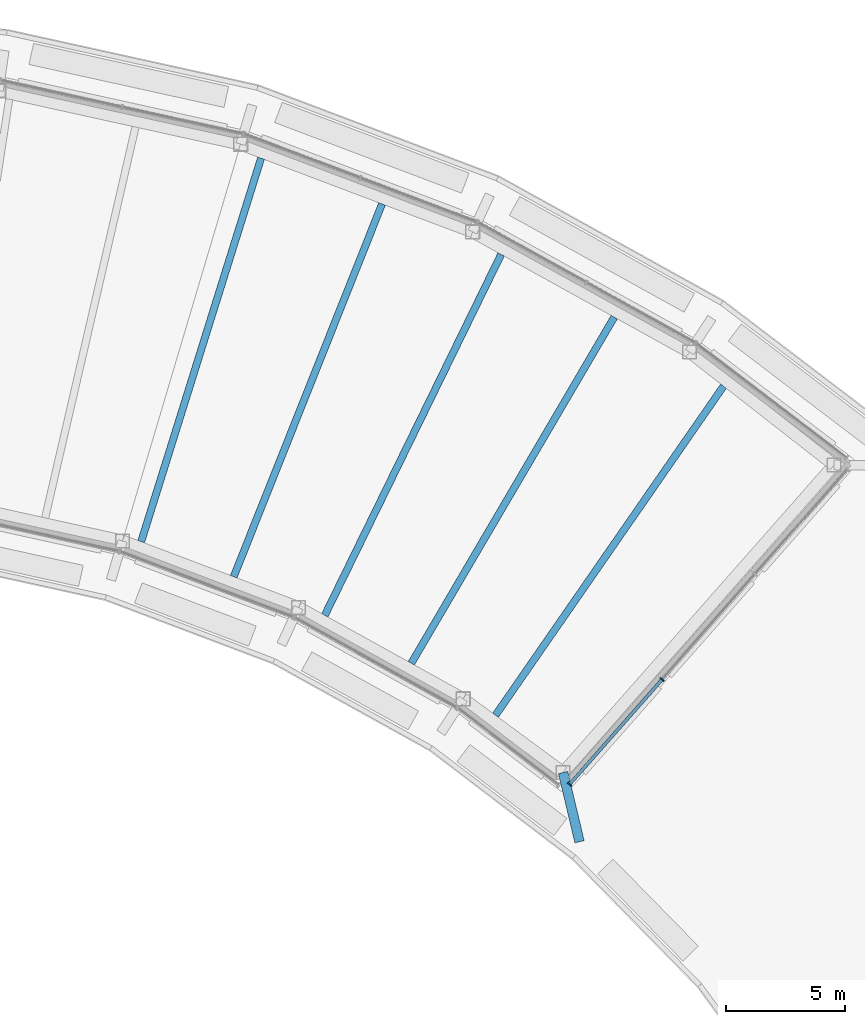
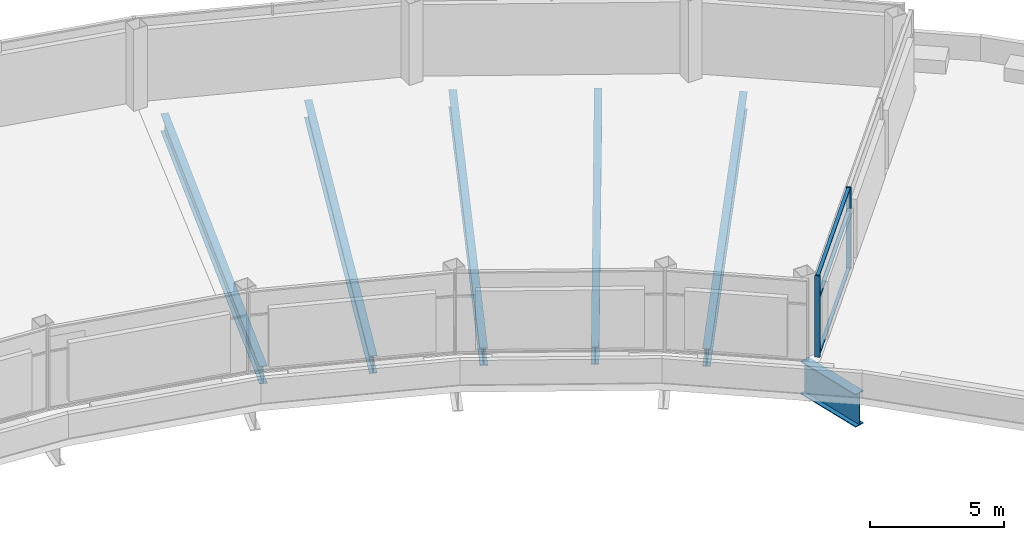
# One storey, part 8 of 17: 6 beams, 5 members, 1 element without a shape of its own.
"""IFC4 building model written with IfcOpenShell, lengths in metres."""

from ifc_helpers import new_model, si_unit, direction, frame, origin, origin_2d, place, context, subcontext, project, spatial, rectangle, i_section, extrude, material, layer, layer_set, material_profile, profile_set, type_object, element, aggregate, save


model = new_model("IFC4")

# Units and contexts
model_context = context("Model", 3, precision=1e-05, world=origin(), true_north=direction((0.0, 1.0)))
body_context = subcontext(model_context, "Body", "Model", "MODEL_VIEW")
ifc_project = project(units=[si_unit("LENGTHUNIT", "METRE"), si_unit("AREAUNIT", "SQUARE_METRE"), si_unit("VOLUMEUNIT", "CUBIC_METRE"), si_unit("PLANEANGLEUNIT", "RADIAN"), si_unit("MASSUNIT", "GRAM", prefix="KILO")], contexts=[model_context])

# Site, building, storey
site_placement = place(None, origin())
site = spatial("IfcSite", under=ifc_project, at=site_placement, CompositionType="ELEMENT")
building_placement = place(site_placement, origin())
building = spatial("IfcBuilding", under=site, at=building_placement, Name="Tuul Gate Civic Tower", CompositionType="ELEMENT")
storey_placement = place(building_placement, frame((0.0, 0.0, 360.10009765625)))
storey = spatial("IfcBuildingStorey", under=building, at=storey_placement, Name="Crown tier 1 lower", CompositionType="ELEMENT", Elevation=360.10009765625)

# Curtain wall, members
ifc_material_1 = material(Name="Aluminium", Category="aluminium")
ifc_layer = layer(ifc_material_1, 0.199951171875)
ifc_layer_set = layer_set([ifc_layer], Name="Aluminium")
curtain_wall_type = type_object("IfcCurtainWallType", Name="Curtain wall CW5", PredefinedType="NOTDEFINED", material=ifc_layer_set)
curtain_wall_placement = place(storey_placement, origin())
curtain_wall = element("IfcCurtainWall", 1, at=curtain_wall_placement, inside=storey, type_object=curtain_wall_type, Name="Curtain wall CW5", PredefinedType="NOTDEFINED")
ifc_material_2 = material(Name="Aluminium", Category="aluminium")
ifc_material_profile_1 = material_profile(ifc_material_2, rectangle(XDim=0.199951171875, YDim=0.06005859375, at=origin_2d()), Name="CW5 mullion")
ifc_profile_set_1 = profile_set([ifc_material_profile_1], Name="Aluminium")
member_type_1 = type_object("IfcMemberType", Name="CW5 mullion", PredefinedType="MULLION", material=ifc_profile_set_1)
member_1_placement = place(storey_placement, frame((36.476806640625, -17.972412109375, 0.0), z_axis=(0.0, 0.0, 1.0), x_axis=(-0.749793201681, 0.661672241153, 0.0)))
member_1 = element("IfcMember", 2, at=member_1_placement, type_object=member_type_1, Name="Mullion", PredefinedType="MULLION", context=body_context, shape_type="SweptSolid", body=[
    extrude(rectangle(XDim=0.199951171875, YDim=0.06005859375, at=origin_2d()), origin(), (0.0, 0.0, 1.0), 3.699951171875),
])
member_2_placement = place(storey_placement, frame((40.34912109375, -13.584716796875, 0.0), z_axis=(0.0, 0.0, 1.0), x_axis=(-0.749793201681, 0.661672241153, 0.0)))
member_2 = element("IfcMember", 3, at=member_2_placement, type_object=member_type_1, Name="Mullion", PredefinedType="MULLION", context=body_context, shape_type="SweptSolid", body=[
    extrude(rectangle(XDim=0.199951171875, YDim=0.06005859375, at=origin_2d()), origin(), (0.0, 0.0, 1.0), 3.699951171875),
])
ifc_material_3 = material(Name="Aluminium", Category="aluminium")
ifc_material_profile_2 = material_profile(ifc_material_3, rectangle(XDim=0.139892578125, YDim=0.06005859375, at=origin_2d()), Name="CW5 transom")
ifc_profile_set_2 = profile_set([ifc_material_profile_2], Name="Aluminium")
member_type_2 = type_object("IfcMemberType", Name="CW5 transom", PredefinedType="USERDEFINED", material=ifc_profile_set_2)
member_3_placement = place(storey_placement, frame((36.49658203125, -17.949951171875, 0.02978515625), z_axis=(0.66168576317, 0.74978126865, 0.0), x_axis=(-0.74978126865, 0.66168576317, 0.0)))
member_3 = element("IfcMember", 4, at=member_3_placement, type_object=member_type_2, Name="Transom", ObjectType="TRANSOM", PredefinedType="USERDEFINED", context=body_context, shape_type="SweptSolid", body=[
    extrude(rectangle(XDim=0.139892578125, YDim=0.06005859375, at=origin_2d()), origin(), (0.0, 0.0, 1.0), 5.7919921875),
])
member_4_placement = place(storey_placement, frame((36.49658203125, -17.949951171875, 2.599853515625), z_axis=(0.66168576317, 0.74978126865, 0.0), x_axis=(-0.74978126865, 0.66168576317, 0.0)))
member_4 = element("IfcMember", 5, at=member_4_placement, type_object=member_type_2, Name="Transom", ObjectType="TRANSOM", PredefinedType="USERDEFINED", context=body_context, shape_type="SweptSolid", body=[
    extrude(rectangle(XDim=0.139892578125, YDim=0.06005859375, at=origin_2d()), origin(), (0.0, 0.0, 1.0), 5.7919921875),
])
member_5_placement = place(storey_placement, frame((36.49658203125, -17.949951171875, 3.669921875), z_axis=(0.66168576317, 0.74978126865, 0.0), x_axis=(-0.74978126865, 0.66168576317, 0.0)))
member_5 = element("IfcMember", 6, at=member_5_placement, type_object=member_type_2, Name="Transom", ObjectType="TRANSOM", PredefinedType="USERDEFINED", context=body_context, shape_type="SweptSolid", body=[
    extrude(rectangle(XDim=0.139892578125, YDim=0.06005859375, at=origin_2d()), origin(), (0.0, 0.0, 1.0), 5.7919921875),
])
aggregate(curtain_wall, [member_1, member_2, member_3, member_4, member_5])

# Beams
ifc_material_4 = material(Name="Steel S355", Category="steel")
ifc_material_profile_3 = material_profile(ifc_material_4, i_section(OverallWidth=0.39990234375, OverallDepth=1.5, WebThickness=0.02490234375, FlangeThickness=0.0400390625, at=origin_2d()), Name="PG1500x400x25x40")
ifc_profile_set_3 = profile_set([ifc_material_profile_3], Name="Steel S355")
beam_type_1 = type_object("IfcBeamType", Name="STR-FLOOR BEAM-PG1500x400x25x40", PredefinedType="BEAM", material=ifc_profile_set_3)
beam_1_placement = place(storey_placement, frame((36.8896484375, -20.383056640625, -1.050048828125), z_axis=(-0.231052078837, 0.972941384085, 0.0), x_axis=(-0.972941384085, -0.231052078837, 0.0)))
element("IfcBeam", 7, at=beam_1_placement, inside=storey, type_object=beam_type_1, Name="Ring girder stub", PredefinedType="BEAM", context=body_context, shape_type="SweptSolid", body=[
    extrude(i_section(OverallWidth=0.39990234375, OverallDepth=1.5, WebThickness=0.02490234375, FlangeThickness=0.0400390625, at=origin_2d()), origin(), (0.0, 0.0, 1.0), 2.980712890625),
])
ifc_material_5 = material(Name="Steel S355", Category="steel")
ifc_material_profile_4 = material_profile(ifc_material_5, i_section(OverallWidth=0.300048828125, OverallDepth=0.800048828125, WebThickness=0.013916015625, FlangeThickness=0.02490234375, at=origin_2d()), Name="PG800x300x14x25")
ifc_profile_set_4 = profile_set([ifc_material_profile_4], Name="Steel S355")
beam_type_2 = type_object("IfcBeamType", Name="STR-FLOOR BEAM-PG800x300x14x25", PredefinedType="BEAM", material=ifc_profile_set_4)
beam_2_placement = place(storey_placement, frame((33.369384765625, -15.084716796875, -0.7001953125), z_axis=(0.569618744549, 0.821909049627, 0.0), x_axis=(-0.821909049627, 0.569618744549, 0.0)))
element("IfcBeam", 8, at=beam_2_placement, inside=storey, type_object=beam_type_2, Name="Floor beam", PredefinedType="BEAM", context=body_context, shape_type="SweptSolid", body=[
    extrude(i_section(OverallWidth=0.300048828125, OverallDepth=0.800048828125, WebThickness=0.013916015625, FlangeThickness=0.02490234375, at=origin_2d()), origin(), (0.0, 0.0, 1.0), 16.768310546875),
])
beam_3_placement = place(storey_placement, frame((29.843994140625, -12.90771484375, -0.7001953125), z_axis=(0.505775799245, 0.862664964455, 0.0), x_axis=(-0.862664964455, 0.505775799245, 0.0)))
element("IfcBeam", 9, at=beam_3_placement, inside=storey, type_object=beam_type_2, Name="Floor beam", PredefinedType="BEAM", context=body_context, shape_type="SweptSolid", body=[
    extrude(i_section(OverallWidth=0.300048828125, OverallDepth=0.800048828125, WebThickness=0.013916015625, FlangeThickness=0.02490234375, at=origin_2d()), origin(), (0.0, 0.0, 1.0), 16.804443359375),
])
beam_4_placement = place(storey_placement, frame((26.22021484375, -10.89892578125, -0.7001953125), z_axis=(0.439038586046, 0.898468207542, 0.0), x_axis=(-0.898468207542, 0.439038586046, 0.0)))
element("IfcBeam", 10, at=beam_4_placement, inside=storey, type_object=beam_type_2, Name="Floor beam", PredefinedType="BEAM", context=body_context, shape_type="SweptSolid", body=[
    extrude(i_section(OverallWidth=0.300048828125, OverallDepth=0.800048828125, WebThickness=0.013916015625, FlangeThickness=0.02490234375, at=origin_2d()), origin(), (0.0, 0.0, 1.0), 16.822021484375),
])
beam_5_placement = place(storey_placement, frame((22.40576171875, -9.281494140625, -0.7001953125), z_axis=(0.369789252977, 0.929115659314, 0.0), x_axis=(-0.929115659314, 0.369789252977, 0.0)))
element("IfcBeam", 11, at=beam_5_placement, inside=storey, type_object=beam_type_2, Name="Floor beam", PredefinedType="BEAM", context=body_context, shape_type="SweptSolid", body=[
    extrude(i_section(OverallWidth=0.300048828125, OverallDepth=0.800048828125, WebThickness=0.013916015625, FlangeThickness=0.02490234375, at=origin_2d()), origin(), (0.0, 0.0, 1.0), 16.8017578125),
])
beam_6_placement = place(storey_placement, frame((18.529541015625, -7.815673828125, -0.7001953125), z_axis=(0.298410464889, 0.954437632559, 0.0), x_axis=(-0.954437632559, 0.298410464889, 0.0)))
element("IfcBeam", 12, at=beam_6_placement, inside=storey, type_object=beam_type_2, Name="Floor beam", PredefinedType="BEAM", context=body_context, shape_type="SweptSolid", body=[
    extrude(i_section(OverallWidth=0.300048828125, OverallDepth=0.800048828125, WebThickness=0.013916015625, FlangeThickness=0.02490234375, at=origin_2d()), origin(), (0.0, 0.0, 1.0), 16.828369140625),
])

save(model, "model.ifc")
